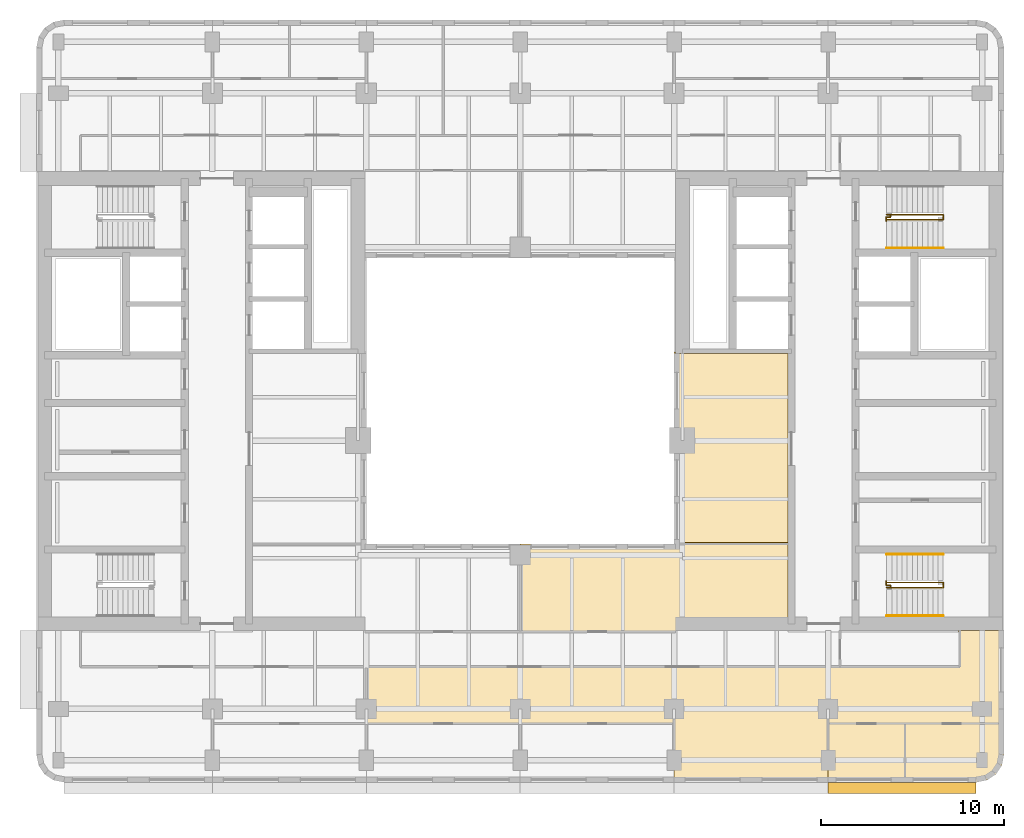
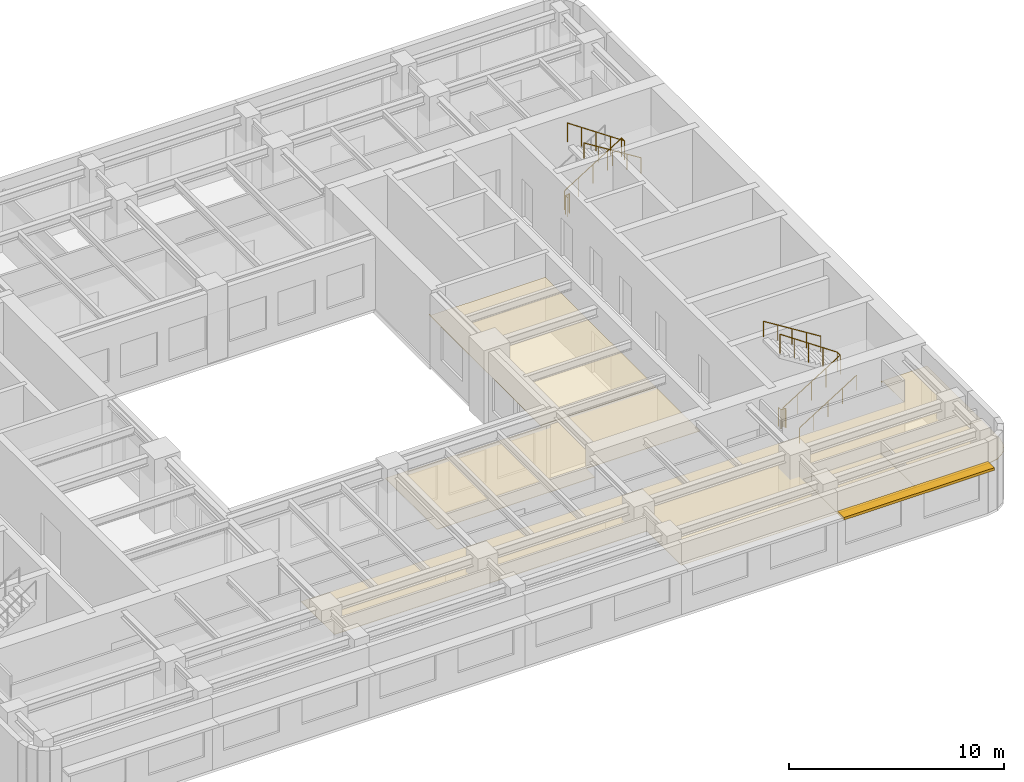
# One storey, part 10 of 11: 7 railings, 5 coverings, 1 shading device.
"""IFC4 building model written with IfcOpenShell, lengths in metres."""

from ifc_helpers import new_model, si_unit, direction, frame, origin, origin_2d, place, context, subcontext, project, spatial, polyline, rectangle, circle, outline, extrude, material, layer, layer_set, type_object, element, save


model = new_model("IFC4")

# Units and contexts
model_context = context("Model", 3, precision=1e-05, world=origin(), true_north=direction((0.0, 1.0)))
body_context = subcontext(model_context, "Body", "Model", "MODEL_VIEW")
ifc_project = project(units=[si_unit("LENGTHUNIT", "METRE"), si_unit("AREAUNIT", "SQUARE_METRE"), si_unit("VOLUMEUNIT", "CUBIC_METRE"), si_unit("PLANEANGLEUNIT", "RADIAN"), si_unit("MASSUNIT", "GRAM", prefix="KILO")], contexts=[model_context])

# Site, building, storey
site_placement = place(None, origin())
site = spatial("IfcSite", under=ifc_project, at=site_placement, CompositionType="ELEMENT")
building_placement = place(site_placement, origin())
building = spatial("IfcBuilding", under=site, at=building_placement, Name="Claustro Exchange Tower", CompositionType="ELEMENT")
storey_placement = place(building_placement, frame((0.0, 0.0, 215.39990234375)))
storey = spatial("IfcBuildingStorey", under=building, at=storey_placement, Name="L49", CompositionType="ELEMENT", Elevation=215.39990234375)

# Coverings
ifc_material_1 = material(Name="Gypsum board ceiling", Category="gypsum board")
ifc_layer_1 = layer(ifc_material_1, 0.02490234375)
ifc_layer_set_1 = layer_set([ifc_layer_1], Name="Gypsum board ceiling")
covering_type = type_object("IfcCoveringType", Name="CL2 plasterboard ceiling", PredefinedType="CEILING", material=ifc_layer_set_1)
covering_1_placement = place(storey_placement, frame((0.0, 0.0, 2.800048828125)))
element("IfcCovering", 1, at=covering_1_placement, inside=storey, type_object=covering_type, Name="Ceiling CL2 L49-04", PredefinedType="CEILING", context=body_context, shape_type="SweptSolid", body=[
    extrude(outline(polyline([(42.0, 4.39990234375), (46.199951171875, 4.39990234375), (46.199951171875, 7.60009765625), (42.0, 7.60009765625), (42.0, 4.39990234375)])), origin(), (0.0, 0.0, 1.0), 0.025146484375),
])
covering_2_placement = place(storey_placement, frame((0.0, 0.0, 2.800048828125)))
element("IfcCovering", 2, at=covering_2_placement, inside=storey, type_object=covering_type, Name="Ceiling CL2 L49-05", PredefinedType="CEILING", context=body_context, shape_type="SweptSolid", body=[
    extrude(outline(polyline([(51.60009765625, 5.89990234375), (51.60009765625, 7.60009765625), (46.199951171875, 7.60009765625), (46.199951171875, 4.39990234375), (50.10009765625, 4.39990234375), (50.674072265625, 4.51416015625), (51.16064453125, 4.83935546875), (51.48583984375, 5.325927734375), (51.60009765625, 5.89990234375)])), origin(), (0.0, 0.0, 1.0), 0.025146484375),
])
covering_3_placement = place(storey_placement, frame((0.0, 0.0, 2.800048828125)))
element("IfcCovering", 3, at=covering_3_placement, inside=storey, type_object=covering_type, Name="Ceiling CL2 L49-07", PredefinedType="CEILING", context=body_context, shape_type="SweptSolid", body=[
    extrude(outline(polyline([(51.60009765625, 7.60009765625), (51.60009765625, 12.695068359375), (51.52490234375, 12.695068359375), (51.52490234375, 12.675048828125), (49.10498046875, 12.675048828125), (49.10498046875, 12.60009765625), (49.199951171875, 12.60009765625), (49.199951171875, 10.699951171875), (16.800048828125, 10.699951171875), (16.800048828125, 7.60009765625), (33.60009765625, 7.60009765625), (33.60009765625, 4.39990234375), (42.0, 4.39990234375), (42.0, 7.60009765625), (51.60009765625, 7.60009765625)])), origin(), (0.0, 0.0, 1.0), 0.025146484375),
])
covering_4_placement = place(storey_placement, frame((0.0, 0.0, 2.800048828125)))
element("IfcCovering", 4, at=covering_4_placement, inside=storey, type_object=covering_type, Name="Ceiling CL2 L49-11", PredefinedType="CEILING", context=body_context, shape_type="SweptSolid", body=[
    extrude(outline(polyline([(39.800048828125, 13.405029296875), (39.800048828125, 17.4951171875), (33.60009765625, 17.4951171875), (33.60009765625, 17.39990234375), (25.199951171875, 17.39990234375), (25.199951171875, 12.60009765625), (33.695068359375, 12.60009765625), (33.695068359375, 13.405029296875), (39.800048828125, 13.405029296875)])), origin(), (0.0, 0.0, 1.0), 0.025146484375),
])
covering_5_placement = place(storey_placement, frame((0.0, 0.0, 2.800048828125)))
element("IfcCovering", 5, at=covering_5_placement, inside=storey, type_object=covering_type, Name="Ceiling CL2 L49-13", PredefinedType="CEILING", context=body_context, shape_type="SweptSolid", body=[
    extrude(outline(polyline([(33.60009765625, 27.89501953125), (33.60009765625, 17.304931640625), (39.800048828125, 17.304931640625), (39.800048828125, 27.800048828125), (33.675048828125, 27.800048828125), (33.675048828125, 27.89501953125), (33.60009765625, 27.89501953125)])), origin(), (0.0, 0.0, 1.0), 0.025146484375),
])

# Railings
ifc_material_2 = material(Name="Steel balustrade, painted", Category="steel")
railing_type_1 = type_object("IfcRailingType", Name="GR2 1100 steel stair guard", PredefinedType="GUARDRAIL", material=ifc_material_2)
railing_1_placement = place(storey_placement, frame((45.199951171875, 15.02490234375, 0.175048828125)))
element("IfcRailing", 6, at=railing_1_placement, inside=storey, type_object=railing_type_1, Name="Stair well guard GR2 stair STEA L49", PredefinedType="GUARDRAIL", context=body_context, shape_type="SweptSolid", body=[
    extrude(circle(Radius=0.02392578125, at=origin_2d()), frame((0.0, 0.0, 1.076171875), z_axis=(0.847998304005, 0.0, 0.529998940003), x_axis=(0.0, 1.0, 0.0)), (0.0, 0.0, 1.0), 3.632080078125),
    extrude(circle(Radius=0.02392578125, at=origin_2d()), frame((3.080078125, 0.0, 3.0009765625), z_axis=(0.0, 1.0, 0.0), x_axis=(-1.0, 0.0, 0.0)), (0.0, 0.0, 1.0), 0.275146484375),
    extrude(circle(Radius=0.02392578125, at=origin_2d()), frame((3.080078125, 0.275146484375, 3.0009765625), z_axis=(-0.826221800596, 0.0, 0.563344953133), x_axis=(0.0, -1.0, 0.0)), (0.0, 0.0, 1.0), 3.72802734375),
    extrude(circle(Radius=0.02099609375, at=origin_2d()), origin(), (0.0, 0.0, 1.0), 1.052001953125),
    extrude(circle(Radius=0.02099609375, at=origin_2d()), frame((0.77001953125, 0.0, 0.481201171875)), (0.0, 0.0, 1.0), 1.052001953125),
    extrude(circle(Radius=0.02099609375, at=origin_2d()), frame((1.5400390625, 0.0, 0.96240234375)), (0.0, 0.0, 1.0), 1.052001953125),
    extrude(circle(Radius=0.02099609375, at=origin_2d()), frame((2.31005859375, 0.0, 1.44384765625)), (0.0, 0.0, 1.0), 1.052001953125),
    extrude(circle(Radius=0.02099609375, at=origin_2d()), frame((3.080078125, 0.0, 1.925048828125)), (0.0, 0.0, 1.0), 1.052001953125),
    extrude(circle(Radius=0.02099609375, at=origin_2d()), frame((3.080078125, 0.275146484375, 1.925048828125)), (0.0, 0.0, 1.0), 1.052001953125),
    extrude(circle(Radius=0.02099609375, at=origin_2d()), frame((2.31005859375, 0.275146484375, 2.4501953125)), (0.0, 0.0, 1.0), 1.052001953125),
    extrude(circle(Radius=0.02099609375, at=origin_2d()), frame((1.5400390625, 0.275146484375, 2.97509765625)), (0.0, 0.0, 1.0), 1.052001953125),
    extrude(circle(Radius=0.02099609375, at=origin_2d()), frame((0.77001953125, 0.275146484375, 3.5)), (0.0, 0.0, 1.0), 1.052001953125),
    extrude(circle(Radius=0.02099609375, at=origin_2d()), frame((0.0, 0.275146484375, 4.025146484375)), (0.0, 0.0, 1.0), 1.052001953125),
])
railing_2_placement = place(storey_placement, frame((45.39990234375, 15.094970703125, 0.0)))
element("IfcRailing", 7, at=railing_2_placement, inside=storey, type_object=railing_type_1, Name="Stair guard GR2 STEA L49", PredefinedType="GUARDRAIL", context=body_context, shape_type="SweptSolid", body=[
    extrude(circle(Radius=0.02392578125, at=origin_2d()), frame((0.0, 0.0, 1.076171875), z_axis=(0.0, 1.0, 0.0), x_axis=(-1.0, 0.0, 0.0)), (0.0, 0.0, 1.0), 0.067626953125),
    extrude(circle(Radius=0.02392578125, at=origin_2d()), frame((0.0, 0.067626953125, 1.076171875), z_axis=(-1.0, 0.0, 0.0), x_axis=(0.0, -1.0, 0.0)), (0.0, 0.0, 1.0), 0.224853515625),
    extrude(circle(Radius=0.02392578125, at=origin_2d()), frame((-0.224853515625, 0.067626953125, 1.076171875), z_axis=(0.0, 1.0, 0.0), x_axis=(-1.0, 0.0, 0.0)), (0.0, 0.0, 1.0), 0.21728515625),
    extrude(circle(Radius=0.02099609375, at=origin_2d()), origin(), (0.0, 0.0, 1.0), 1.052001953125),
    extrude(circle(Radius=0.02099609375, at=origin_2d()), frame((0.0, 0.067626953125, 0.0)), (0.0, 0.0, 1.0), 1.052001953125),
    extrude(circle(Radius=0.02099609375, at=origin_2d()), frame((-0.224853515625, 0.067626953125, 0.0)), (0.0, 0.0, 1.0), 1.052001953125),
    extrude(circle(Radius=0.02099609375, at=origin_2d()), frame((-0.224853515625, 0.284912109375, 0.0)), (0.0, 0.0, 1.0), 1.052001953125),
])
railing_3_placement = place(storey_placement, frame((45.199951171875, 35.375, 0.175048828125)))
element("IfcRailing", 8, at=railing_3_placement, inside=storey, type_object=railing_type_1, Name="Stair well guard GR2 stair STEB L49", PredefinedType="GUARDRAIL", context=body_context, shape_type="SweptSolid", body=[
    extrude(circle(Radius=0.02392578125, at=origin_2d()), frame((0.0, 0.0, 1.076171875), z_axis=(0.847998304005, 0.0, 0.529998940003), x_axis=(0.0, 1.0, 0.0)), (0.0, 0.0, 1.0), 3.632080078125),
    extrude(circle(Radius=0.02392578125, at=origin_2d()), frame((3.080078125, 0.0, 3.0009765625), z_axis=(0.0, -1.0, 0.0), x_axis=(1.0, 0.0, 0.0)), (0.0, 0.0, 1.0), 0.27490234375),
    extrude(circle(Radius=0.02392578125, at=origin_2d()), frame((3.080078125, -0.27490234375, 3.0009765625), z_axis=(-0.826221800596, 0.0, 0.563344953133), x_axis=(0.0, -1.0, 0.0)), (0.0, 0.0, 1.0), 3.72802734375),
    extrude(circle(Radius=0.02099609375, at=origin_2d()), origin(), (0.0, 0.0, 1.0), 1.052001953125),
    extrude(circle(Radius=0.02099609375, at=origin_2d()), frame((0.77001953125, 0.0, 0.481201171875)), (0.0, 0.0, 1.0), 1.052001953125),
    extrude(circle(Radius=0.02099609375, at=origin_2d()), frame((1.5400390625, 0.0, 0.96240234375)), (0.0, 0.0, 1.0), 1.052001953125),
    extrude(circle(Radius=0.02099609375, at=origin_2d()), frame((2.31005859375, 0.0, 1.44384765625)), (0.0, 0.0, 1.0), 1.052001953125),
    extrude(circle(Radius=0.02099609375, at=origin_2d()), frame((3.080078125, 0.0, 1.925048828125)), (0.0, 0.0, 1.0), 1.052001953125),
    extrude(circle(Radius=0.02099609375, at=origin_2d()), frame((3.080078125, -0.27490234375, 1.925048828125)), (0.0, 0.0, 1.0), 1.052001953125),
    extrude(circle(Radius=0.02099609375, at=origin_2d()), frame((2.31005859375, -0.27490234375, 2.4501953125)), (0.0, 0.0, 1.0), 1.052001953125),
    extrude(circle(Radius=0.02099609375, at=origin_2d()), frame((1.5400390625, -0.27490234375, 2.97509765625)), (0.0, 0.0, 1.0), 1.052001953125),
    extrude(circle(Radius=0.02099609375, at=origin_2d()), frame((0.77001953125, -0.27490234375, 3.5)), (0.0, 0.0, 1.0), 1.052001953125),
    extrude(circle(Radius=0.02099609375, at=origin_2d()), frame((0.0, -0.27490234375, 4.025146484375)), (0.0, 0.0, 1.0), 1.052001953125),
])
railing_4_placement = place(storey_placement, frame((45.39990234375, 35.304931640625, 0.0)))
element("IfcRailing", 9, at=railing_4_placement, inside=storey, type_object=railing_type_1, Name="Stair guard GR2 STEB L49", PredefinedType="GUARDRAIL", context=body_context, shape_type="SweptSolid", body=[
    extrude(circle(Radius=0.02392578125, at=origin_2d()), frame((0.0, 0.0, 1.076171875), z_axis=(0.0, -1.0, 0.0), x_axis=(1.0, 0.0, 0.0)), (0.0, 0.0, 1.0), 0.0673828125),
    extrude(circle(Radius=0.02392578125, at=origin_2d()), frame((0.0, -0.0673828125, 1.076171875), z_axis=(-1.0, 0.0, 0.0), x_axis=(0.0, -1.0, 0.0)), (0.0, 0.0, 1.0), 0.224853515625),
    extrude(circle(Radius=0.02392578125, at=origin_2d()), frame((-0.224853515625, -0.0673828125, 1.076171875), z_axis=(0.0, -1.0, 0.0), x_axis=(1.0, 0.0, 0.0)), (0.0, 0.0, 1.0), 0.217529296875),
    extrude(circle(Radius=0.02099609375, at=origin_2d()), origin(), (0.0, 0.0, 1.0), 1.052001953125),
    extrude(circle(Radius=0.02099609375, at=origin_2d()), frame((0.0, -0.0673828125, 0.0)), (0.0, 0.0, 1.0), 1.052001953125),
    extrude(circle(Radius=0.02099609375, at=origin_2d()), frame((-0.224853515625, -0.0673828125, 0.0)), (0.0, 0.0, 1.0), 1.052001953125),
    extrude(circle(Radius=0.02099609375, at=origin_2d()), frame((-0.224853515625, -0.284912109375, 0.0)), (0.0, 0.0, 1.0), 1.052001953125),
])
ifc_material_3 = material(Name="Stainless steel tube", Category="steel")
railing_type_2 = type_object("IfcRailingType", Name="HR1 900 stair handrail", PredefinedType="HANDRAIL", material=ifc_material_3)
railing_5_placement = place(storey_placement, frame((45.199951171875, 13.485107421875, 0.175048828125)))
element("IfcRailing", 10, at=railing_5_placement, inside=storey, type_object=railing_type_2, Name="Handrail HR1 stair STEA L49", PredefinedType="HANDRAIL", context=body_context, shape_type="SweptSolid", body=[
    extrude(circle(Radius=0.02392578125, at=origin_2d()), frame((0.0, 0.0, 0.8759765625), z_axis=(0.847998304005, 0.0, 0.529998940003), x_axis=(0.0, 1.0, 0.0)), (0.0, 0.0, 1.0), 3.632080078125),
    extrude(circle(Radius=0.02099609375, at=origin_2d()), origin(), (0.0, 0.0, 1.0), 0.851806640625),
    extrude(circle(Radius=0.02099609375, at=origin_2d()), frame((0.77001953125, 0.0, 0.481201171875)), (0.0, 0.0, 1.0), 0.851806640625),
    extrude(circle(Radius=0.02099609375, at=origin_2d()), frame((1.5400390625, 0.0, 0.96240234375)), (0.0, 0.0, 1.0), 0.851806640625),
    extrude(circle(Radius=0.02099609375, at=origin_2d()), frame((2.31005859375, 0.0, 1.44384765625)), (0.0, 0.0, 1.0), 0.851806640625),
    extrude(circle(Radius=0.02099609375, at=origin_2d()), frame((3.080078125, 0.0, 1.925048828125)), (0.0, 0.0, 1.0), 0.851806640625),
])
for number, where, name in (
    (11, (48.280029296875, 16.840087890625, 2.275146484375), "Handrail HR1 stair STEA L49"),
    (12, (48.280029296875, 33.56005859375, 2.275146484375), "Handrail HR1 stair STEB L49"),
):
    element("IfcRailing", number, at=place(storey_placement, frame(where)), inside=storey, type_object=railing_type_2, Name=name, PredefinedType="HANDRAIL", context=body_context, shape_type="SweptSolid", body=[
        extrude(circle(Radius=0.02392578125, at=origin_2d()), frame((0.0, 0.0, 0.8759765625), z_axis=(-0.847998304005, 0.0, 0.529998940003), x_axis=(0.0, -1.0, 0.0)), (0.0, 0.0, 1.0), 3.632080078125),
        extrude(circle(Radius=0.02099609375, at=origin_2d()), origin(), (0.0, 0.0, 1.0), 0.851806640625),
        extrude(circle(Radius=0.02099609375, at=origin_2d()), frame((-0.77001953125, 0.0, 0.481201171875)), (0.0, 0.0, 1.0), 0.851806640625),
        extrude(circle(Radius=0.02099609375, at=origin_2d()), frame((-1.5400390625, 0.0, 0.96240234375)), (0.0, 0.0, 1.0), 0.851806640625),
        extrude(circle(Radius=0.02099609375, at=origin_2d()), frame((-2.31005859375, 0.0, 1.44384765625)), (0.0, 0.0, 1.0), 0.851806640625),
        extrude(circle(Radius=0.02099609375, at=origin_2d()), frame((-3.080078125, 0.0, 1.925048828125)), (0.0, 0.0, 1.0), 0.851806640625),
    ])

# Shading device
ifc_material_4 = material(Name="Concrete HA-40 (C40/50), precast, white cement, acid-etched", Category="concrete")
ifc_layer_2 = layer(ifc_material_4, 0.14990234375)
ifc_layer_set_2 = layer_set([ifc_layer_2], Name="Concrete HA-40 (C40/50), precast, white cement, acid-etched")
shading_device_type = type_object("IfcShadingDeviceType", Name="SS1 600 precast concrete SUNSHADE", PredefinedType="SHUTTER", material=ifc_layer_set_2)
shading_device_placement = place(storey_placement, frame((46.04248046875, 4.10009765625, 2.800048828125), z_axis=(0.0, 0.0, 1.0), x_axis=(-1.0, 0.0, 0.0)))
element("IfcShadingDevice", 13, at=shading_device_placement, inside=storey, type_object=shading_device_type, Name="Precast SUNSHADE SS1 L49", PredefinedType="SHUTTER", context=body_context, shape_type="SweptSolid", body=[
    extrude(rectangle(XDim=8.085205078125, YDim=0.60009765625, at=origin_2d()), origin(), (0.0, 0.0, 1.0), 0.14990234375),
])

save(model, "model.ifc")
